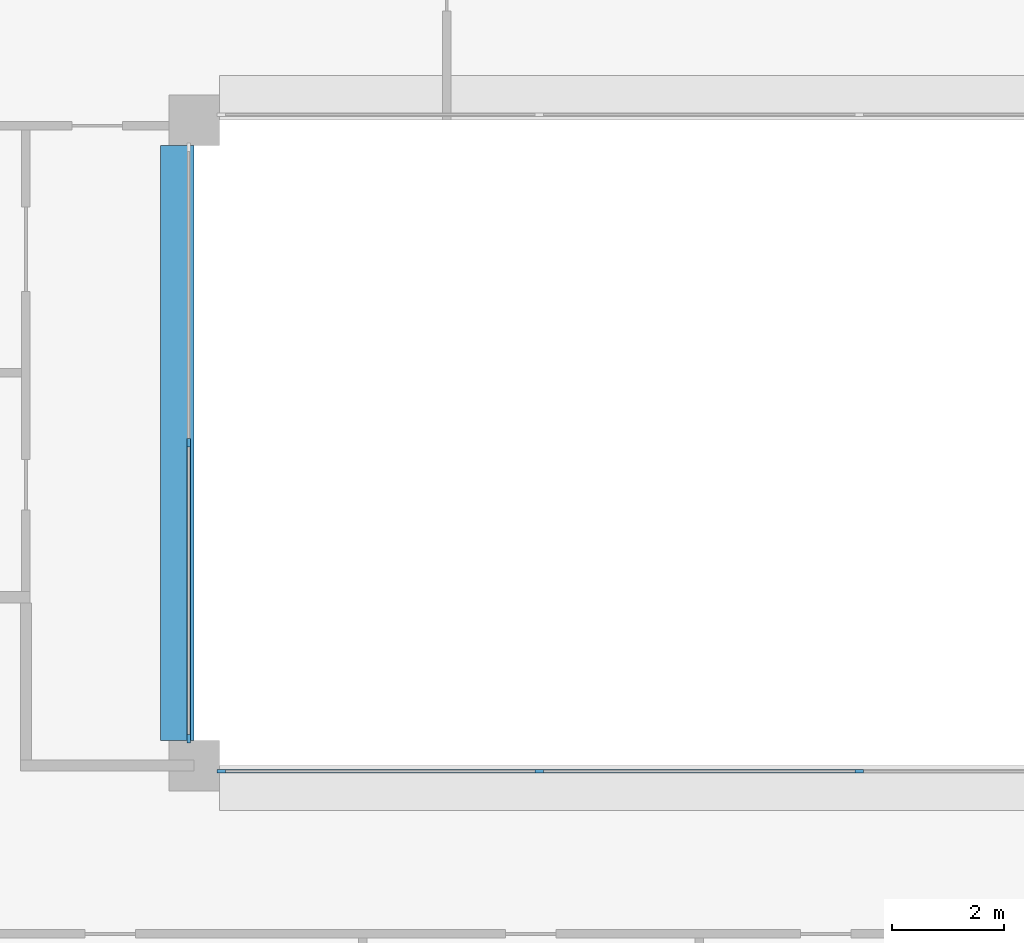
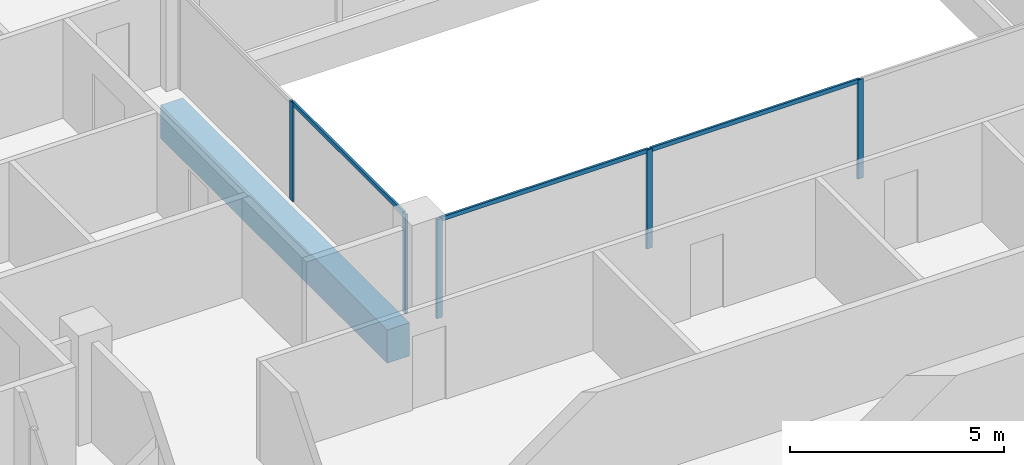
# One storey, part 2 of 15: 8 members, 1 beam, 2 elements without a shape of their own.
"""IFC4 building model written with IfcOpenShell, lengths in metres."""

from ifc_helpers import new_model, si_unit, direction, frame, origin, origin_2d, place, context, subcontext, project, spatial, rectangle, extrude, material, layer, layer_set, material_profile, profile_set, type_object, element, aggregate, save


model = new_model("IFC4")

# Units and contexts
model_context = context("Model", 3, precision=1e-05, world=origin(), true_north=direction((0.0, 1.0)))
body_context = subcontext(model_context, "Body", "Model", "MODEL_VIEW")
ifc_project = project(units=[si_unit("LENGTHUNIT", "METRE"), si_unit("AREAUNIT", "SQUARE_METRE"), si_unit("VOLUMEUNIT", "CUBIC_METRE"), si_unit("PLANEANGLEUNIT", "RADIAN"), si_unit("MASSUNIT", "GRAM", prefix="KILO")], contexts=[model_context])

# Site, building, storey
site_placement = place(None, origin())
site = spatial("IfcSite", under=ifc_project, at=site_placement, CompositionType="ELEMENT")
building_placement = place(site_placement, origin())
building = spatial("IfcBuilding", under=site, at=building_placement, Name="Brigalow Station Residences", CompositionType="ELEMENT")
storey_placement = place(building_placement, frame((0.0, 0.0, 226.35009765625)))
storey = spatial("IfcBuildingStorey", under=building, at=storey_placement, Name="L65", CompositionType="ELEMENT", Elevation=226.35009765625)

# Beam
ifc_material_1 = material(Name="Concrete C65", Category="concrete")
ifc_material_profile_1 = material_profile(ifc_material_1, rectangle(XDim=0.60009765625, YDim=0.949951171875, at=origin_2d()), Name="RC600x950")
ifc_profile_set_1 = profile_set([ifc_material_profile_1], Name="Concrete C65")
beam_type = type_object("IfcBeamType", Name="ATRIUM EDGE GIRDER 600x950 C65", PredefinedType="BEAM", material=ifc_profile_set_1)
beam_placement = place(storey_placement, frame((26.699951171875, 24.449951171875, -0.795166015625), z_axis=(0.0, 1.0, 0.0), x_axis=(-1.0, 0.0, 0.0)))
element("IfcBeam", 1, at=beam_placement, inside=storey, type_object=beam_type, Name="ATRIUM EDGE GIRDER 3 L65", PredefinedType="BEAM", context=body_context, shape_type="SweptSolid", body=[
    extrude(rectangle(XDim=0.60009765625, YDim=0.949951171875, at=origin_2d()), origin(), (0.0, 0.0, 1.0), 10.60009765625),
])

# Curtain wall, members
ifc_material_2 = material(Name="Aluminium", Category="aluminium")
ifc_layer = layer(ifc_material_2, 0.14990234375)
ifc_layer_set = layer_set([ifc_layer], Name="ATRIUM FIRE-RATED GLAZING CURTAIN WALL")
curtain_wall_type = type_object("IfcCurtainWallType", Name="ATRIUM FIRE-RATED GLAZING CURTAIN WALL", PredefinedType="NOTDEFINED", material=ifc_layer_set)
curtain_wall_1_placement = place(storey_placement, origin())
curtain_wall_1 = element("IfcCurtainWall", 2, at=curtain_wall_1_placement, inside=storey, type_object=curtain_wall_type, Name="L65/cw/atrium-S", PredefinedType="NOTDEFINED")
ifc_material_3 = material(Name="Aluminium", Category="aluminium")
ifc_material_profile_2 = material_profile(ifc_material_3, rectangle(XDim=0.06005859375, YDim=0.14990234375, at=origin_2d()), Name="ATRIUM FIRE-RATED GLAZING MULLION 60x150")
ifc_profile_set_2 = profile_set([ifc_material_profile_2], Name="Aluminium")
member_type_1 = type_object("IfcMemberType", Name="ATRIUM FIRE-RATED GLAZING MULLION 60x150", PredefinedType="MULLION", material=ifc_profile_set_2)
member_1_placement = place(storey_placement, frame((27.47998046875, 23.89990234375, 0.0), z_axis=(0.0, 0.0, 1.0), x_axis=(0.0, 1.0, 0.0)))
member_1 = element("IfcMember", 3, at=member_1_placement, type_object=member_type_1, Name="L65/cw/atrium-S/M00", PredefinedType="MULLION", context=body_context, shape_type="SweptSolid", body=[
    extrude(rectangle(XDim=0.06005859375, YDim=0.14990234375, at=origin_2d()), origin(), (0.0, 0.0, 1.0), 2.829833984375),
])
member_2_placement = place(storey_placement, frame((33.14990234375, 23.89990234375, 0.0), z_axis=(0.0, 0.0, 1.0), x_axis=(0.0, 1.0, 0.0)))
member_2 = element("IfcMember", 4, at=member_2_placement, type_object=member_type_1, Name="L65/cw/atrium-S/M01", PredefinedType="MULLION", context=body_context, shape_type="SweptSolid", body=[
    extrude(rectangle(XDim=0.06005859375, YDim=0.14990234375, at=origin_2d()), origin(), (0.0, 0.0, 1.0), 2.829833984375),
])
member_3_placement = place(storey_placement, frame((38.85009765625, 23.89990234375, 0.0), z_axis=(0.0, 0.0, 1.0), x_axis=(0.0, 1.0, 0.0)))
member_3 = element("IfcMember", 5, at=member_3_placement, type_object=member_type_1, Name="L65/cw/atrium-S/M02", PredefinedType="MULLION", context=body_context, shape_type="SweptSolid", body=[
    extrude(rectangle(XDim=0.06005859375, YDim=0.14990234375, at=origin_2d()), origin(), (0.0, 0.0, 1.0), 2.829833984375),
])

curtain_wall_2_placement = place(storey_placement, origin())
curtain_wall_2 = element("IfcCurtainWall", 6, at=curtain_wall_2_placement, inside=storey, type_object=curtain_wall_type, Name="L65/cw/atrium-W", PredefinedType="NOTDEFINED")
member_4_placement = place(storey_placement, frame((26.89990234375, 29.75, 0.0), z_axis=(0.0, 0.0, 1.0), x_axis=(1.0, 0.0, 0.0)))
member_4 = element("IfcMember", 7, at=member_4_placement, type_object=member_type_1, Name="L65/cw/atrium-W/M01", PredefinedType="MULLION", context=body_context, shape_type="SweptSolid", body=[
    extrude(rectangle(XDim=0.06005859375, YDim=0.14990234375, at=origin_2d()), origin(), (0.0, 0.0, 1.0), 2.829833984375),
])
member_5_placement = place(storey_placement, frame((26.89990234375, 24.47998046875, 0.0), z_axis=(0.0, 0.0, 1.0), x_axis=(1.0, 0.0, 0.0)))
member_5 = element("IfcMember", 8, at=member_5_placement, type_object=member_type_1, Name="L65/cw/atrium-W/M02", PredefinedType="MULLION", context=body_context, shape_type="SweptSolid", body=[
    extrude(rectangle(XDim=0.06005859375, YDim=0.14990234375, at=origin_2d()), origin(), (0.0, 0.0, 1.0), 2.829833984375),
])

# Member
ifc_material_4 = material(Name="Aluminium", Category="aluminium")
ifc_material_profile_3 = material_profile(ifc_material_4, rectangle(XDim=0.06005859375, YDim=0.1201171875, at=origin_2d()), Name="ATRIUM FIRE-RATED GLAZING TRANSOM 60x120")
ifc_profile_set_3 = profile_set([ifc_material_profile_3], Name="Aluminium")
member_type_2 = type_object("IfcMemberType", Name="ATRIUM FIRE-RATED GLAZING TRANSOM 60x120", PredefinedType="USERDEFINED", material=ifc_profile_set_3)
member_6_placement = place(storey_placement, frame((27.510009765625, 23.89990234375, 2.7998046875), z_axis=(1.0, 0.0, 0.0), x_axis=(0.0, 1.0, 0.0)))
member_6 = element("IfcMember", 9, at=member_6_placement, type_object=member_type_2, Name="L65/cw/atrium-S/T00-00", ObjectType="TRANSOM", PredefinedType="USERDEFINED", context=body_context, shape_type="SweptSolid", body=[
    extrude(rectangle(XDim=0.06005859375, YDim=0.1201171875, at=origin_2d()), origin(), (0.0, 0.0, 1.0), 5.610107421875),
])

member_7_placement = place(storey_placement, frame((33.179931640625, 23.89990234375, 2.7998046875), z_axis=(1.0, 0.0, 0.0), x_axis=(0.0, 1.0, 0.0)))
member_7 = element("IfcMember", 10, at=member_7_placement, type_object=member_type_2, Name="L65/cw/atrium-S/T01-00", ObjectType="TRANSOM", PredefinedType="USERDEFINED", context=body_context, shape_type="SweptSolid", body=[
    extrude(rectangle(XDim=0.06005859375, YDim=0.1201171875, at=origin_2d()), origin(), (0.0, 0.0, 1.0), 5.64013671875),
])

aggregate(curtain_wall_1, [member_1, member_2, member_3, member_6, member_7])

member_8_placement = place(storey_placement, frame((26.89990234375, 29.719970703125, 2.7998046875), z_axis=(0.0, -1.0, 0.0), x_axis=(1.0, 0.0, 0.0)))
member_8 = element("IfcMember", 11, at=member_8_placement, type_object=member_type_2, Name="L65/cw/atrium-W/T01-00", ObjectType="TRANSOM", PredefinedType="USERDEFINED", context=body_context, shape_type="SweptSolid", body=[
    extrude(rectangle(XDim=0.06005859375, YDim=0.1201171875, at=origin_2d()), origin(), (0.0, 0.0, 1.0), 5.2099609375),
])

aggregate(curtain_wall_2, [member_4, member_5, member_8])

save(model, "model.ifc")
